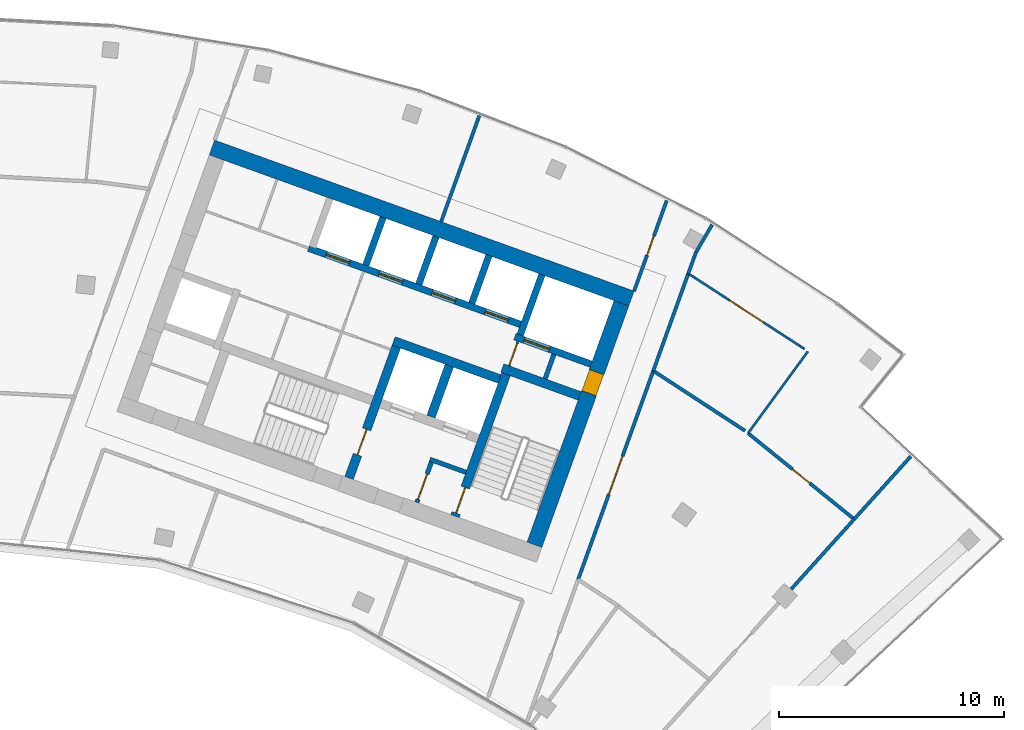
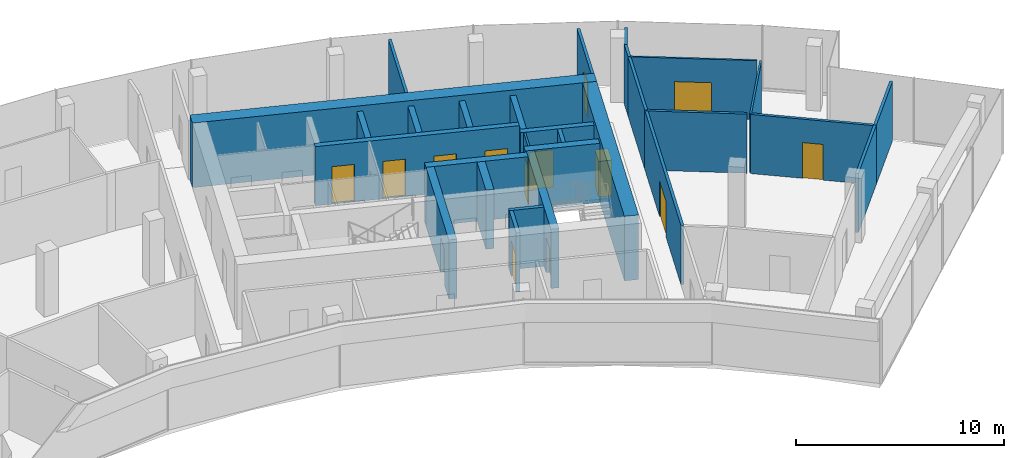
# One storey, part 16 of 18: 29 walls, 14 doors, 14 openings.
"""IFC4 building model written with IfcOpenShell, lengths in metres."""

from ifc_helpers import new_model, si_unit, direction, frame, frame_2d, origin, place, context, subcontext, project, spatial, rectangle, extrude, material, layer, layer_set, type_object, element, fill, save


model = new_model("IFC4")

# Units and contexts
model_context = context("Model", 3, precision=1e-05, world=origin(), true_north=direction((0.0, 1.0)))
body_context = subcontext(model_context, "Body", "Model", "MODEL_VIEW")
ifc_project = project(units=[si_unit("LENGTHUNIT", "METRE"), si_unit("AREAUNIT", "SQUARE_METRE"), si_unit("VOLUMEUNIT", "CUBIC_METRE"), si_unit("PLANEANGLEUNIT", "RADIAN"), si_unit("MASSUNIT", "GRAM", prefix="KILO")], contexts=[model_context])

# Site, building, storey
site_placement = place(None, origin())
site = spatial("IfcSite", under=ifc_project, at=site_placement, CompositionType="ELEMENT")
building_placement = place(site_placement, origin())
building = spatial("IfcBuilding", under=site, at=building_placement, Name="Stone Belt Terrace Tower", CompositionType="ELEMENT")
storey_placement = place(building_placement, frame((0.0, 0.0, 265.60009765625)))
storey = spatial("IfcBuildingStorey", under=building, at=storey_placement, Name="L64", CompositionType="ELEMENT", Elevation=265.60009765625)

# Wall, opening, door
ifc_material_1 = material(Name="Plasterboard partition")
ifc_layer_1 = layer(ifc_material_1, 0.10009765625)
ifc_layer_set_1 = layer_set([ifc_layer_1], Name="Core partition 100")
wall_type_1 = type_object("IfcWallType", Name="Core partition 100", PredefinedType="PARTITIONING", material=ifc_layer_set_1)
wall_1_placement = place(storey_placement, frame((24.555908203125, 51.10400390625, 0.0), z_axis=(0.0, 0.0, 1.0), x_axis=(0.338621735342, 0.94092258999, 0.0)))
wall_1 = element("IfcWall", 1, at=wall_1_placement, inside=storey, type_object=wall_type_1, Name="Core B wall", PredefinedType="PARTITIONING", context=body_context, shape_type="SweptSolid", body=[
    extrude(rectangle(XDim=1.14990234375, YDim=0.10009765625, at=frame_2d((0.574951171875, 0.0))), origin(), (0.0, 0.0, 1.0), 3.47998046875),
])
opening_1_placement = place(wall_1_placement, frame((0.050048828125, 0.0, 0.0)))
opening_1 = element("IfcOpeningElement", 2, at=opening_1_placement, cuts=wall_1, Name="Opening L64-C23", PredefinedType="OPENING", context=body_context, shape_type="SweptSolid", body=[
    extrude(rectangle(XDim=1.0, YDim=2.10009765625, at=frame_2d((0.5, 1.050048828125))), frame((0.0, 0.06005859375, 0.0), z_axis=(0.0, -1.0, 0.0), x_axis=(1.0, 0.0, 0.0)), (0.0, 0.0, 1.0), 0.1201171875),
])
ifc_material_2 = material(Name="Timber door leaf", Category="wood")
door_type_1 = type_object("IfcDoorType", Name="Core room door 1000", OperationType="SINGLE_SWING_LEFT", PredefinedType="DOOR", material=ifc_material_2)
door_1_placement = place(opening_1_placement, origin())
door_1 = element("IfcDoor", 3, at=door_1_placement, inside=storey, type_object=door_type_1, Name="Service lift lobby door core B", OperationType="SINGLE_SWING_RIGHT", OverallHeight=2.10009765625, OverallWidth=1.0, PredefinedType="DOOR", context=body_context, shape_type="SweptSolid", body=[
    extrude(rectangle(XDim=1.0, YDim=2.10009765625, at=frame_2d((0.5, 1.050048828125))), frame((0.0, 0.02490234375, 0.0), z_axis=(0.0, -1.0, 0.0), x_axis=(1.0, 0.0, 0.0)), (0.0, 0.0, 1.0), 0.050048828125),
])
fill(opening_1, door_1)

# Wall
ifc_material_3 = material(Name="Concrete B60", Category="concrete")
ifc_layer_2 = layer(ifc_material_3, 0.699951171875)
ifc_layer_set_2 = layer_set([ifc_layer_2], Name="Core wall 700 B60")
wall_type_2 = type_object("IfcWallType", Name="Core wall 700 B60", PredefinedType="SHEAR", material=ifc_layer_set_2)
wall_2_placement = place(storey_placement, frame((11.35791015625, 60.795654296875, 0.0), z_axis=(0.0, 0.0, 1.0), x_axis=(0.940919787944, -0.33862952124, 0.0)))
element("IfcWall", 4, at=wall_2_placement, inside=storey, type_object=wall_type_2, Name="Core B wall convex L64", PredefinedType="SHEAR", context=body_context, shape_type="SweptSolid", body=[
    extrude(rectangle(XDim=19.7998046875, YDim=0.699951171875, at=frame_2d((9.89990234375, 0.0))), origin(), (0.0, 0.0, 1.0), 3.7998046875),
])

# Wall, opening, door
wall_3_placement = place(storey_placement, frame((25.679931640625, 43.153564453125, 0.0), z_axis=(0.0, 0.0, 1.0), x_axis=(0.338625431531, 0.940921259788, 0.0)))
wall_3 = element("IfcWall", 5, at=wall_3_placement, inside=storey, type_object=wall_type_2, Name="Core B wall end_b L64", PredefinedType="SHEAR", context=body_context, shape_type="SweptSolid", body=[
    extrude(rectangle(XDim=11.400146484375, YDim=0.699951171875, at=frame_2d((5.7001953125, 0.0))), origin(), (0.0, 0.0, 1.0), 3.7998046875),
])
opening_2_placement = place(wall_3_placement, frame((7.14990234375, 0.0, 0.0)))
opening_2 = element("IfcOpeningElement", 6, at=opening_2_placement, cuts=wall_3, Name="Opening L64-C22", PredefinedType="OPENING", context=body_context, shape_type="SweptSolid", body=[
    extrude(rectangle(XDim=1.0, YDim=2.10009765625, at=frame_2d((0.5, 1.050048828125))), frame((0.0, 0.35986328125, 0.0), z_axis=(0.0, -1.0, 0.0), x_axis=(1.0, 0.0, 0.0)), (0.0, 0.0, 1.0), 0.719970703125),
])
door_2_placement = place(opening_2_placement, origin())
door_2 = element("IfcDoor", 7, at=door_2_placement, inside=storey, type_object=door_type_1, Name="Door to Telecommunications riser room core B", OperationType="SINGLE_SWING_LEFT", OverallHeight=2.10009765625, OverallWidth=1.0, PredefinedType="DOOR", context=body_context, shape_type="SweptSolid", body=[
    extrude(rectangle(XDim=1.0, YDim=2.10009765625, at=frame_2d((0.5, 1.050048828125))), frame((0.0, 0.330078125, 0.0), z_axis=(0.0, -1.0, 0.0), x_axis=(1.0, 0.0, 0.0)), (0.0, 0.0, 1.0), 0.659912109375),
])
fill(opening_2, door_2)

# Walls
ifc_material_4 = material(Name="Concrete B80", Category="concrete")
ifc_layer_3 = layer(ifc_material_4, 0.39990234375)
ifc_layer_set_3 = layer_set([ifc_layer_3], Name="Fire-fighting lift shaft wall 400")
wall_type_3 = type_object("IfcWallType", Name="Fire-fighting lift shaft wall 400", PredefinedType="SHEAR", material=ifc_layer_set_3)
wall_4_placement = place(storey_placement, frame((24.130615234375, 50.512939453125, 0.0), z_axis=(0.0, 0.0, 1.0), x_axis=(-0.94091168377, 0.338652038744, 0.0)))
element("IfcWall", 8, at=wall_4_placement, inside=storey, type_object=wall_type_3, Name="Core B wall", PredefinedType="SHEAR", context=body_context, shape_type="SweptSolid", body=[
    extrude(rectangle(XDim=5.000244140625, YDim=0.39990234375, at=frame_2d((2.5, 0.0))), origin(), (0.0, 0.0, 1.0), 3.47998046875),
])
wall_5_placement = place(storey_placement, frame((21.0859375, 48.845458984375, 0.0), z_axis=(0.0, 0.0, 1.0), x_axis=(0.338629416206, 0.940919825745, 0.0)))
element("IfcWall", 9, at=wall_5_placement, inside=storey, type_object=wall_type_3, Name="Core B wall", PredefinedType="SHEAR", context=body_context, shape_type="SweptSolid", body=[
    extrude(rectangle(XDim=2.400146484375, YDim=0.39990234375, at=frame_2d((1.2001953125, 0.0))), origin(), (0.0, 0.0, 1.0), 3.47998046875),
])

# Wall, opening, door
ifc_layer_4 = layer(ifc_material_4, 0.300048828125)
ifc_layer_set_4 = layer_set([ifc_layer_4], Name="Lift shaft wall 300")
wall_type_4 = type_object("IfcWallType", Name="Lift shaft wall 300", PredefinedType="SHEAR", material=ifc_layer_set_4)
wall_6_placement = place(storey_placement, frame((28.195068359375, 51.17578125, 0.0), z_axis=(0.0, 0.0, 1.0), x_axis=(-0.940901243567, 0.338681044427, 0.0)))
wall_6 = element("IfcWall", 10, at=wall_6_placement, inside=storey, type_object=wall_type_4, Name="Core B wall", PredefinedType="SHEAR", context=body_context, shape_type="SweptSolid", body=[
    extrude(rectangle(XDim=3.599853515625, YDim=0.300048828125, at=frame_2d((1.7998046875, 0.0))), origin(), (0.0, 0.0, 1.0), 3.47998046875),
])
opening_3_placement = place(wall_6_placement, frame((1.969970703125, 0.0, 0.0)))
opening_3 = element("IfcOpeningElement", 11, at=opening_3_placement, cuts=wall_6, Name="Opening L64-LD14", PredefinedType="OPENING", context=body_context, shape_type="SweptSolid", body=[
    extrude(rectangle(XDim=1.199951171875, YDim=2.199951171875, at=frame_2d((0.60009765625, 1.10009765625))), frame((0.0, 0.159912109375, 0.0), z_axis=(0.0, -1.0, 0.0), x_axis=(1.0, 0.0, 0.0)), (0.0, 0.0, 1.0), 0.320068359375),
])
ifc_material_5 = material(Name="Stainless steel door leaf", Category="steel")
door_type_2 = type_object("IfcDoorType", Name="Landing door 1200", OperationType="SLIDING_TO_LEFT", PredefinedType="DOOR", material=ifc_material_5)
door_3_placement = place(opening_3_placement, origin())
door_3 = element("IfcDoor", 12, at=door_3_placement, inside=storey, type_object=door_type_2, Name="Landing door SV1 core B", OperationType="SLIDING_TO_LEFT", OverallHeight=2.199951171875, OverallWidth=1.199951171875, PredefinedType="DOOR", context=body_context, shape_type="SweptSolid", body=[
    extrude(rectangle(XDim=1.199951171875, YDim=2.199951171875, at=frame_2d((0.60009765625, 1.10009765625))), frame((0.0, 0.02490234375, 0.0), z_axis=(0.0, -1.0, 0.0), x_axis=(1.0, 0.0, 0.0)), (0.0, 0.0, 1.0), 0.050048828125),
])
fill(opening_3, door_3)

# Wall
wall_7_placement = place(storey_placement, frame((25.046875, 52.46826171875, 0.0), z_axis=(0.0, 0.0, 1.0), x_axis=(0.338549588058, 0.940948551423, 0.0)))
element("IfcWall", 13, at=wall_7_placement, inside=storey, type_object=wall_type_4, Name="Core B wall", PredefinedType="SHEAR", context=body_context, shape_type="SweptSolid", body=[
    extrude(rectangle(XDim=2.849853515625, YDim=0.300048828125, at=frame_2d((1.4248046875, 0.0))), origin(), (0.0, 0.0, 1.0), 3.47998046875),
])

# Wall, openings, doors
wall_8_placement = place(storey_placement, frame((25.05810546875, 52.9423828125, 0.0), z_axis=(0.0, 0.0, 1.0), x_axis=(-0.940924441602, 0.338616590255, 0.0)))
wall_8 = element("IfcWall", 14, at=wall_8_placement, inside=storey, type_object=wall_type_4, Name="Core B wall", PredefinedType="SHEAR", context=body_context, shape_type="SweptSolid", body=[
    extrude(rectangle(XDim=10.000244140625, YDim=0.300048828125, at=frame_2d((5.0, 0.0))), origin(), (0.0, 0.0, 1.0), 3.47998046875),
])
opening_4_placement = place(wall_8_placement, frame((0.570068359375, 0.0, 0.0)))
opening_4 = element("IfcOpeningElement", 15, at=opening_4_placement, cuts=wall_8, Name="Opening L64-LD08", PredefinedType="OPENING", context=body_context, shape_type="SweptSolid", body=[
    extrude(rectangle(XDim=1.10009765625, YDim=2.199951171875, at=frame_2d((0.550048828125, 1.10009765625))), frame((0.0, 0.159912109375, 0.0), z_axis=(0.0, -1.0, 0.0), x_axis=(1.0, 0.0, 0.0)), (0.0, 0.0, 1.0), 0.320068359375),
])
opening_5_placement = place(wall_8_placement, frame((3.070068359375, 0.0, 0.0)))
opening_5 = element("IfcOpeningElement", 16, at=opening_5_placement, cuts=wall_8, Name="Opening L64-LD09", PredefinedType="OPENING", context=body_context, shape_type="SweptSolid", body=[
    extrude(rectangle(XDim=1.10009765625, YDim=2.199951171875, at=frame_2d((0.550048828125, 1.10009765625))), frame((0.0, 0.159912109375, 0.0), z_axis=(0.0, -1.0, 0.0), x_axis=(1.0, 0.0, 0.0)), (0.0, 0.0, 1.0), 0.320068359375),
])
opening_6_placement = place(wall_8_placement, frame((5.570068359375, 0.0, 0.0)))
opening_6 = element("IfcOpeningElement", 17, at=opening_6_placement, cuts=wall_8, Name="Opening L64-LD10", PredefinedType="OPENING", context=body_context, shape_type="SweptSolid", body=[
    extrude(rectangle(XDim=1.10009765625, YDim=2.199951171875, at=frame_2d((0.550048828125, 1.10009765625))), frame((0.0, 0.159912109375, 0.0), z_axis=(0.0, -1.0, 0.0), x_axis=(1.0, 0.0, 0.0)), (0.0, 0.0, 1.0), 0.320068359375),
])
opening_7_placement = place(wall_8_placement, frame((8.070068359375, 0.0, 0.0)))
opening_7 = element("IfcOpeningElement", 18, at=opening_7_placement, cuts=wall_8, Name="Opening L64-LD11", PredefinedType="OPENING", context=body_context, shape_type="SweptSolid", body=[
    extrude(rectangle(XDim=1.10009765625, YDim=2.199951171875, at=frame_2d((0.550048828125, 1.10009765625))), frame((0.0, 0.159912109375, 0.0), z_axis=(0.0, -1.0, 0.0), x_axis=(1.0, 0.0, 0.0)), (0.0, 0.0, 1.0), 0.320068359375),
])
door_type_3 = type_object("IfcDoorType", Name="Landing door 1100", OperationType="SLIDING_TO_LEFT", PredefinedType="DOOR", material=ifc_material_5)
door_4_placement = place(opening_4_placement, origin())
door_4 = element("IfcDoor", 19, at=door_4_placement, inside=storey, type_object=door_type_3, Name="Landing door HR1 core B", OperationType="SLIDING_TO_LEFT", OverallHeight=2.199951171875, OverallWidth=1.10009765625, PredefinedType="DOOR", context=body_context, shape_type="SweptSolid", body=[
    extrude(rectangle(XDim=1.10009765625, YDim=2.199951171875, at=frame_2d((0.550048828125, 1.10009765625))), frame((0.0, 0.02490234375, 0.0), z_axis=(0.0, -1.0, 0.0), x_axis=(1.0, 0.0, 0.0)), (0.0, 0.0, 1.0), 0.050048828125),
])
fill(opening_4, door_4)
door_5_placement = place(opening_5_placement, origin())
door_5 = element("IfcDoor", 20, at=door_5_placement, inside=storey, type_object=door_type_3, Name="Landing door HR2 core B", OperationType="SLIDING_TO_LEFT", OverallHeight=2.199951171875, OverallWidth=1.10009765625, PredefinedType="DOOR", context=body_context, shape_type="SweptSolid", body=[
    extrude(rectangle(XDim=1.10009765625, YDim=2.199951171875, at=frame_2d((0.550048828125, 1.10009765625))), frame((0.0, 0.02490234375, 0.0), z_axis=(0.0, -1.0, 0.0), x_axis=(1.0, 0.0, 0.0)), (0.0, 0.0, 1.0), 0.050048828125),
])
fill(opening_5, door_5)
door_6_placement = place(opening_6_placement, origin())
door_6 = element("IfcDoor", 21, at=door_6_placement, inside=storey, type_object=door_type_3, Name="Landing door HR3 core B", OperationType="SLIDING_TO_LEFT", OverallHeight=2.199951171875, OverallWidth=1.10009765625, PredefinedType="DOOR", context=body_context, shape_type="SweptSolid", body=[
    extrude(rectangle(XDim=1.10009765625, YDim=2.199951171875, at=frame_2d((0.550048828125, 1.10009765625))), frame((0.0, 0.02490234375, 0.0), z_axis=(0.0, -1.0, 0.0), x_axis=(1.0, 0.0, 0.0)), (0.0, 0.0, 1.0), 0.050048828125),
])
fill(opening_6, door_6)
door_7_placement = place(opening_7_placement, origin())
door_7 = element("IfcDoor", 22, at=door_7_placement, inside=storey, type_object=door_type_3, Name="Landing door HR4 core B", OperationType="SLIDING_TO_LEFT", OverallHeight=2.199951171875, OverallWidth=1.10009765625, PredefinedType="DOOR", context=body_context, shape_type="SweptSolid", body=[
    extrude(rectangle(XDim=1.10009765625, YDim=2.199951171875, at=frame_2d((0.550048828125, 1.10009765625))), frame((0.0, 0.02490234375, 0.0), z_axis=(0.0, -1.0, 0.0), x_axis=(1.0, 0.0, 0.0)), (0.0, 0.0, 1.0), 0.050048828125),
])
fill(opening_7, door_7)

# Walls
wall_9_placement = place(storey_placement, frame((22.897705078125, 53.87939453125, 0.0), z_axis=(0.0, 0.0, 1.0), x_axis=(0.338535034312, 0.940953787677, 0.0)))
element("IfcWall", 23, at=wall_9_placement, inside=storey, type_object=wall_type_4, Name="Core B wall", PredefinedType="SHEAR", context=body_context, shape_type="SweptSolid", body=[
    extrude(rectangle(XDim=2.25, YDim=0.300048828125, at=frame_2d((1.125, 0.0))), origin(), (0.0, 0.0, 1.0), 3.47998046875),
])
wall_10_placement = place(storey_placement, frame((20.54541015625, 54.72607421875, 0.0), z_axis=(0.0, 0.0, 1.0), x_axis=(0.338569601369, 0.940941350472, 0.0)))
element("IfcWall", 24, at=wall_10_placement, inside=storey, type_object=wall_type_4, Name="Core B wall", PredefinedType="SHEAR", context=body_context, shape_type="SweptSolid", body=[
    extrude(rectangle(XDim=2.249755859375, YDim=0.300048828125, at=frame_2d((1.125, 0.0))), origin(), (0.0, 0.0, 1.0), 3.47998046875),
])
wall_11_placement = place(storey_placement, frame((18.193115234375, 55.572509765625, 0.0), z_axis=(0.0, 0.0, 1.0), x_axis=(0.338535034312, 0.940953787677, 0.0)))
element("IfcWall", 25, at=wall_11_placement, inside=storey, type_object=wall_type_4, Name="Core B wall", PredefinedType="SHEAR", context=body_context, shape_type="SweptSolid", body=[
    extrude(rectangle(XDim=2.25, YDim=0.300048828125, at=frame_2d((1.125, 0.0))), origin(), (0.0, 0.0, 1.0), 3.47998046875),
])
ifc_material_6 = material(Name="Gypsum board partition")
ifc_layer_5 = layer(ifc_material_6, 0.10009765625)
ifc_layer_set_5 = layer_set([ifc_layer_5], Name="PARTITION 100")
wall_type_5 = type_object("IfcWallType", Name="PARTITION 100", PredefinedType="PARTITIONING", material=ifc_layer_set_5)
wall_12_placement = place(storey_placement, frame((35.1669921875, 48.10791015625, 0.0), z_axis=(0.0, 0.0, 1.0), x_axis=(0.590276391842, 0.807201202448, 0.0)))
element("IfcWall", 26, at=wall_12_placement, inside=storey, type_object=wall_type_5, Name="L64/wall/i071", PredefinedType="PARTITIONING", context=body_context, shape_type="SweptSolid", body=[
    extrude(rectangle(XDim=4.49951171875, YDim=0.10009765625, at=frame_2d((2.249755859375, 0.0))), origin(), (0.0, 0.0, 1.0), 3.47998046875),
])

# Wall, opening, door
wall_13_placement = place(storey_placement, frame((37.672119140625, 51.85107421875, 0.0), z_axis=(0.0, 0.0, 1.0), x_axis=(-0.838784432024, 0.544463659572, 0.0)))
wall_13 = element("IfcWall", 27, at=wall_13_placement, inside=storey, type_object=wall_type_5, Name="L64/wall/i072", PredefinedType="PARTITIONING", context=body_context, shape_type="SweptSolid", body=[
    extrude(rectangle(XDim=6.15087890625, YDim=0.10009765625, at=frame_2d((3.075439453125, 0.0))), origin(), (0.0, 0.0, 1.0), 3.47998046875),
])
opening_8_placement = place(wall_13_placement, frame((2.17529296875, 0.0, 0.0)))
opening_8 = element("IfcOpeningElement", 28, at=opening_8_placement, cuts=wall_13, Name="Opening D-E1-23", PredefinedType="OPENING", context=body_context, shape_type="SweptSolid", body=[
    extrude(rectangle(XDim=1.800048828125, YDim=2.10009765625, at=frame_2d((0.89990234375, 1.050048828125))), frame((0.0, 0.06005859375, 0.0), z_axis=(0.0, -1.0, 0.0), x_axis=(1.0, 0.0, 0.0)), (0.0, 0.0, 1.0), 0.1201171875),
])
door_type_4 = type_object("IfcDoorType", Name="DOUBLE DOOR 1800 X 2100", OperationType="DOUBLE_DOOR_SINGLE_SWING", PredefinedType="DOOR", material=ifc_material_2)
door_8_placement = place(opening_8_placement, origin())
door_8 = element("IfcDoor", 29, at=door_8_placement, inside=storey, type_object=door_type_4, Name="L64/door/i23", OperationType="DOUBLE_DOOR_SINGLE_SWING", OverallHeight=2.10009765625, OverallWidth=1.800048828125, PredefinedType="DOOR", context=body_context, shape_type="SweptSolid", body=[
    extrude(rectangle(XDim=1.800048828125, YDim=2.10009765625, at=frame_2d((0.89990234375, 1.050048828125))), frame((0.0, 0.02490234375, 0.0), z_axis=(0.0, -1.0, 0.0), x_axis=(1.0, 0.0, 0.0)), (0.0, 0.0, 1.0), 0.050048828125),
])
fill(opening_8, door_8)

ifc_layer_6 = layer(ifc_material_6, 0.14990234375)
ifc_layer_set_6 = layer_set([ifc_layer_6], Name="PARTITION 150 EI 60")
wall_type_6 = type_object("IfcWallType", Name="PARTITION 150 EI 60", PredefinedType="PARTITIONING", material=ifc_layer_set_6)
wall_14_placement = place(storey_placement, frame((30.10595703125, 54.4208984375, 0.0), z_axis=(0.0, 0.0, 1.0), x_axis=(0.338725523051, 0.940885232127, 0.0)))
wall_14 = element("IfcWall", 30, at=wall_14_placement, inside=storey, type_object=wall_type_6, Name="L64/wall/i029", PredefinedType="PARTITIONING", context=body_context, shape_type="SweptSolid", body=[
    extrude(rectangle(XDim=4.283447265625, YDim=0.14990234375, at=frame_2d((2.1416015625, 0.0))), origin(), (0.0, 0.0, 1.0), 3.47998046875),
])
opening_9_placement = place(wall_14_placement, frame((1.691650390625, 0.0, 0.0)))
opening_9 = element("IfcOpeningElement", 31, at=opening_9_placement, cuts=wall_14, Name="Opening D-E1-10", PredefinedType="OPENING", context=body_context, shape_type="SweptSolid", body=[
    extrude(rectangle(XDim=0.89990234375, YDim=2.10009765625, at=frame_2d((0.449951171875, 1.050048828125))), frame((0.0, 0.0849609375, 0.0), z_axis=(0.0, -1.0, 0.0), x_axis=(1.0, 0.0, 0.0)), (0.0, 0.0, 1.0), 0.169921875),
])
door_type_5 = type_object("IfcDoorType", Name="OFFICE DOOR 900 X 2100", OperationType="NOTDEFINED", PredefinedType="DOOR", material=ifc_material_2)
door_9_placement = place(opening_9_placement, origin())
door_9 = element("IfcDoor", 32, at=door_9_placement, inside=storey, type_object=door_type_5, Name="L64/door/i10", OperationType="SINGLE_SWING_RIGHT", OverallHeight=2.10009765625, OverallWidth=0.89990234375, PredefinedType="DOOR", context=body_context, shape_type="SweptSolid", body=[
    extrude(rectangle(XDim=0.89990234375, YDim=2.10009765625, at=frame_2d((0.449951171875, 1.050048828125))), frame((0.0, 0.02490234375, 0.0), z_axis=(0.0, -1.0, 0.0), x_axis=(1.0, 0.0, 0.0)), (0.0, 0.0, 1.0), 0.050048828125),
])
fill(opening_9, door_9)

# Walls
wall_15_placement = place(storey_placement, frame((33.576416015625, 57.37841796875, 0.0), z_axis=(0.0, 0.0, 1.0), x_axis=(-0.505064935992, -0.863081346358, 0.0)))
element("IfcWall", 33, at=wall_15_placement, inside=storey, type_object=wall_type_6, Name="L64/wall/i032", PredefinedType="PARTITIONING", context=body_context, shape_type="SweptSolid", body=[
    extrude(rectangle(XDim=1.43603515625, YDim=0.14990234375, at=frame_2d((0.718017578125, 0.0))), origin(), (0.0, 0.0, 1.0), 3.47998046875),
])
wall_16_placement = place(storey_placement, frame((32.85107421875, 56.138916015625, 0.0), z_axis=(0.0, 0.0, 1.0), x_axis=(-0.338676421288, -0.940902907671, 0.0)))
element("IfcWall", 34, at=wall_16_placement, inside=storey, type_object=wall_type_6, Name="L64/wall/i033", PredefinedType="PARTITIONING", context=body_context, shape_type="SweptSolid", body=[
    extrude(rectangle(XDim=1.004150390625, YDim=0.14990234375, at=frame_2d((0.501953125, 0.0))), origin(), (0.0, 0.0, 1.0), 3.47998046875),
])
wall_17_placement = place(storey_placement, frame((32.514892578125, 55.2060546875, 0.0), z_axis=(0.0, 0.0, 1.0), x_axis=(-0.338586142837, -0.940935398356, 0.0)))
element("IfcWall", 35, at=wall_17_placement, inside=storey, type_object=wall_type_6, Name="L64/wall/i034", PredefinedType="PARTITIONING", context=body_context, shape_type="SweptSolid", body=[
    extrude(rectangle(XDim=4.60400390625, YDim=0.14990234375, at=frame_2d((2.302001953125, 0.0))), origin(), (0.0, 0.0, 1.0), 3.47998046875),
])

# Wall, opening, door
wall_18_placement = place(storey_placement, frame((30.9599609375, 50.885986328125, 0.0), z_axis=(0.0, 0.0, 1.0), x_axis=(-0.338672159599, -0.940904441648, 0.0)))
wall_18 = element("IfcWall", 36, at=wall_18_placement, inside=storey, type_object=wall_type_6, Name="L64/wall/i035", PredefinedType="PARTITIONING", context=body_context, shape_type="SweptSolid", body=[
    extrude(rectangle(XDim=9.8681640625, YDim=0.14990234375, at=frame_2d((4.93408203125, 0.0))), origin(), (0.0, 0.0, 1.0), 3.47998046875),
])
opening_10_placement = place(wall_18_placement, frame((4.0341796875, 0.0, 0.0)))
opening_10 = element("IfcOpeningElement", 37, at=opening_10_placement, cuts=wall_18, Name="Opening D-E1-24", PredefinedType="OPENING", context=body_context, shape_type="SweptSolid", body=[
    extrude(rectangle(XDim=1.800048828125, YDim=2.10009765625, at=frame_2d((0.89990234375, 1.050048828125))), frame((0.0, 0.0849609375, 0.0), z_axis=(0.0, -1.0, 0.0), x_axis=(1.0, 0.0, 0.0)), (0.0, 0.0, 1.0), 0.169921875),
])
door_10_placement = place(opening_10_placement, origin())
door_10 = element("IfcDoor", 38, at=door_10_placement, inside=storey, type_object=door_type_4, Name="L64/door/i24", OperationType="DOUBLE_DOOR_SINGLE_SWING", OverallHeight=2.10009765625, OverallWidth=1.800048828125, PredefinedType="DOOR", context=body_context, shape_type="SweptSolid", body=[
    extrude(rectangle(XDim=1.800048828125, YDim=2.10009765625, at=frame_2d((0.89990234375, 1.050048828125))), frame((0.0, 0.02490234375, 0.0), z_axis=(0.0, -1.0, 0.0), x_axis=(1.0, 0.0, 0.0)), (0.0, 0.0, 1.0), 0.050048828125),
])
fill(opening_10, door_10)

# Walls
wall_19_placement = place(storey_placement, frame((23.23291015625, 62.215087890625, 0.0), z_axis=(0.0, 0.0, 1.0), x_axis=(-0.338679756351, -0.940901707214, 0.0)))
element("IfcWall", 39, at=wall_19_placement, inside=storey, type_object=wall_type_6, Name="L64/wall/i041", PredefinedType="PARTITIONING", context=body_context, shape_type="SweptSolid", body=[
    extrude(rectangle(XDim=5.007080078125, YDim=0.14990234375, at=frame_2d((2.50341796875, 0.0))), origin(), (0.0, 0.0, 1.0), 3.47998046875),
])
wall_20_placement = place(storey_placement, frame((39.8759765625, 44.285888671875, 0.0), z_axis=(0.0, 0.0, 1.0), x_axis=(0.669068459203, 0.743200778323, 0.0)))
element("IfcWall", 40, at=wall_20_placement, inside=storey, type_object=wall_type_6, Name="L64/wall/i064", PredefinedType="PARTITIONING", context=body_context, shape_type="SweptSolid", body=[
    extrude(rectangle(XDim=3.770751953125, YDim=0.14990234375, at=frame_2d((1.88525390625, 0.0))), origin(), (0.0, 0.0, 1.0), 3.47998046875),
])
wall_21_placement = place(storey_placement, frame((37.09033203125, 41.192138671875, 0.0), z_axis=(0.0, 0.0, 1.0), x_axis=(0.669123017422, 0.743151658517, 0.0)))
element("IfcWall", 41, at=wall_21_placement, inside=storey, type_object=wall_type_6, Name="L64/wall/i066", PredefinedType="PARTITIONING", context=body_context, shape_type="SweptSolid", body=[
    extrude(rectangle(XDim=4.175048828125, YDim=0.14990234375, at=frame_2d((2.08740234375, 0.0))), origin(), (0.0, 0.0, 1.0), 3.47998046875),
])

# Wall, opening, door
wall_22_placement = place(storey_placement, frame((35.1669921875, 48.10791015625, 0.0), z_axis=(0.0, 0.0, 1.0), x_axis=(0.777107980833, -0.62936729032, 0.0)))
wall_22 = element("IfcWall", 42, at=wall_22_placement, inside=storey, type_object=wall_type_6, Name="L64/wall/i073", PredefinedType="PARTITIONING", context=body_context, shape_type="SweptSolid", body=[
    extrude(rectangle(XDim=6.064697265625, YDim=0.14990234375, at=frame_2d((3.0322265625, 0.0))), origin(), (0.0, 0.0, 1.0), 3.47998046875),
])
opening_11_placement = place(wall_22_placement, frame((2.532470703125, 0.0, 0.0)))
opening_11 = element("IfcOpeningElement", 43, at=opening_11_placement, cuts=wall_22, Name="Opening D-E1-22", PredefinedType="OPENING", context=body_context, shape_type="SweptSolid", body=[
    extrude(rectangle(XDim=1.0, YDim=2.10009765625, at=frame_2d((0.5, 1.050048828125))), frame((0.0, 0.0849609375, 0.0), z_axis=(0.0, -1.0, 0.0), x_axis=(1.0, 0.0, 0.0)), (0.0, 0.0, 1.0), 0.169921875),
])
ifc_material_7 = material(Name="Timber fire door leaf", Category="wood")
door_type_6 = type_object("IfcDoorType", Name="TENANCY ENTRANCE DOOR 1000 X 2100", OperationType="NOTDEFINED", PredefinedType="DOOR", material=ifc_material_7)
door_11_placement = place(opening_11_placement, origin())
door_11 = element("IfcDoor", 44, at=door_11_placement, inside=storey, type_object=door_type_6, Name="L64/door/i22", OperationType="SINGLE_SWING_RIGHT", OverallHeight=2.10009765625, OverallWidth=1.0, PredefinedType="DOOR", context=body_context, shape_type="SweptSolid", body=[
    extrude(rectangle(XDim=1.0, YDim=2.10009765625, at=frame_2d((0.5, 1.050048828125))), frame((0.0, 0.02490234375, 0.0), z_axis=(0.0, -1.0, 0.0), x_axis=(1.0, 0.0, 0.0)), (0.0, 0.0, 1.0), 0.050048828125),
])
fill(opening_11, door_11)

# Walls
wall_23_placement = place(storey_placement, frame((35.031982421875, 48.217041015625, 0.0), z_axis=(0.0, 0.0, 1.0), x_axis=(-0.837055321155, 0.547118258995, 0.0)))
element("IfcWall", 45, at=wall_23_placement, inside=storey, type_object=wall_type_6, Name="L64/wall/i074", PredefinedType="PARTITIONING", context=body_context, shape_type="SweptSolid", body=[
    extrude(rectangle(XDim=4.866943359375, YDim=0.14990234375, at=frame_2d((2.43359375, 0.0))), origin(), (0.0, 0.0, 1.0), 3.47998046875),
])
ifc_material_8 = material(Name="Concrete masonry block", Category="masonry")
ifc_layer_7 = layer(ifc_material_8, 0.199951171875)
ifc_layer_set_7 = layer_set([ifc_layer_7], Name="Rated lobby wall 200")
wall_type_7 = type_object("IfcWallType", Name="Rated lobby wall 200", PredefinedType="PARTITIONING", material=ifc_layer_set_7)
wall_24_placement = place(storey_placement, frame((26.1552734375, 50.5283203125, 0.0), z_axis=(0.0, 0.0, 1.0), x_axis=(0.338621735342, 0.94092258999, 0.0)))
element("IfcWall", 46, at=wall_24_placement, inside=storey, type_object=wall_type_7, Name="Core B wall", PredefinedType="PARTITIONING", context=body_context, shape_type="SweptSolid", body=[
    extrude(rectangle(XDim=1.14990234375, YDim=0.199951171875, at=frame_2d((0.574951171875, 0.0))), origin(), (0.0, 0.0, 1.0), 3.47998046875),
])
wall_25_placement = place(storey_placement, frame((22.640625, 46.373046875, 0.0), z_axis=(0.0, 0.0, 1.0), x_axis=(-0.940966110313, 0.338500781747, 0.0)))
element("IfcWall", 47, at=wall_25_placement, inside=storey, type_object=wall_type_7, Name="Core B wall", PredefinedType="PARTITIONING", context=body_context, shape_type="SweptSolid", body=[
    extrude(rectangle(XDim=1.699951171875, YDim=0.199951171875, at=frame_2d((0.85009765625, 0.0))), origin(), (0.0, 0.0, 1.0), 3.47998046875),
])

# Wall, opening, door
wall_26_placement = place(storey_placement, frame((20.4580078125, 45.032958984375, 0.0), z_axis=(0.0, 0.0, 1.0), x_axis=(0.338573865316, 0.940939816208, 0.0)))
wall_26 = element("IfcWall", 48, at=wall_26_placement, inside=storey, type_object=wall_type_7, Name="Core B wall", PredefinedType="PARTITIONING", context=body_context, shape_type="SweptSolid", body=[
    extrude(rectangle(XDim=1.900146484375, YDim=0.199951171875, at=frame_2d((0.9501953125, 0.0))), origin(), (0.0, 0.0, 1.0), 3.47998046875),
])
opening_12_placement = place(wall_26_placement, frame((0.14990234375, 0.0, 0.0)))
opening_12 = element("IfcOpeningElement", 49, at=opening_12_placement, cuts=wall_26, Name="Opening L64-C27", PredefinedType="OPENING", context=body_context, shape_type="SweptSolid", body=[
    extrude(rectangle(XDim=1.199951171875, YDim=2.10009765625, at=frame_2d((0.60009765625, 1.050048828125))), frame((0.0, 0.10986328125, 0.0), z_axis=(0.0, -1.0, 0.0), x_axis=(1.0, 0.0, 0.0)), (0.0, 0.0, 1.0), 0.219970703125),
])
ifc_material_9 = material(Name="Steel door leaf", Category="steel")
door_type_7 = type_object("IfcDoorType", Name="Stair door 1200", OperationType="SINGLE_SWING_LEFT", PredefinedType="DOOR", material=ifc_material_9)
door_12_placement = place(opening_12_placement, origin())
door_12 = element("IfcDoor", 50, at=door_12_placement, inside=storey, type_object=door_type_7, Name="Stair airlock door core B", OperationType="SINGLE_SWING_RIGHT", OverallHeight=2.10009765625, OverallWidth=1.199951171875, PredefinedType="DOOR", context=body_context, shape_type="SweptSolid", body=[
    extrude(rectangle(XDim=1.199951171875, YDim=2.10009765625, at=frame_2d((0.60009765625, 1.050048828125))), frame((0.0, 0.02490234375, 0.0), z_axis=(0.0, -1.0, 0.0), x_axis=(1.0, 0.0, 0.0)), (0.0, 0.0, 1.0), 0.050048828125),
])
fill(opening_12, door_12)

# Wall
ifc_layer_8 = layer(ifc_material_4, 0.39990234375)
ifc_layer_set_8 = layer_set([ifc_layer_8], Name="Stair enclosure wall 400")
wall_type_8 = type_object("IfcWallType", Name="Stair enclosure wall 400", PredefinedType="SHEAR", material=ifc_layer_set_8)
wall_27_placement = place(storey_placement, frame((27.687255859375, 49.764404296875, 0.0), z_axis=(0.0, 0.0, 1.0), x_axis=(-0.940918954884, 0.338631835981, 0.0)))
element("IfcWall", 51, at=wall_27_placement, inside=storey, type_object=wall_type_8, Name="Core B wall", PredefinedType="SHEAR", context=body_context, shape_type="SweptSolid", body=[
    extrude(rectangle(XDim=3.650146484375, YDim=0.39990234375, at=frame_2d((1.8251953125, 0.0))), origin(), (0.0, 0.0, 1.0), 3.47998046875),
])

# Wall, opening, door
wall_28_placement = place(storey_placement, frame((22.151611328125, 44.42333984375, 0.0), z_axis=(0.0, 0.0, 1.0), x_axis=(0.338625272931, 0.940921316866, 0.0)))
wall_28 = element("IfcWall", 52, at=wall_28_placement, inside=storey, type_object=wall_type_8, Name="Core B wall", PredefinedType="SHEAR", context=body_context, shape_type="SweptSolid", body=[
    extrude(rectangle(XDim=6.699951171875, YDim=0.39990234375, at=frame_2d((3.35009765625, 0.0))), origin(), (0.0, 0.0, 1.0), 3.47998046875),
])
opening_13_placement = place(wall_28_placement, frame((0.14990234375, 0.0, 0.0)))
opening_13 = element("IfcOpeningElement", 53, at=opening_13_placement, cuts=wall_28, Name="Opening L64-C26", PredefinedType="OPENING", context=body_context, shape_type="SweptSolid", body=[
    extrude(rectangle(XDim=1.199951171875, YDim=2.10009765625, at=frame_2d((0.60009765625, 1.050048828125))), frame((0.0, 0.2099609375, 0.0), z_axis=(0.0, -1.0, 0.0), x_axis=(1.0, 0.0, 0.0)), (0.0, 0.0, 1.0), 0.419921875),
])
door_13_placement = place(opening_13_placement, origin())
door_13 = element("IfcDoor", 54, at=door_13_placement, inside=storey, type_object=door_type_7, Name="Stair 1 door core B", OperationType="SINGLE_SWING_RIGHT", OverallHeight=2.10009765625, OverallWidth=1.199951171875, PredefinedType="DOOR", context=body_context, shape_type="SweptSolid", body=[
    extrude(rectangle(XDim=1.199951171875, YDim=2.10009765625, at=frame_2d((0.60009765625, 1.050048828125))), frame((0.0, 0.02490234375, 0.0), z_axis=(0.0, -1.0, 0.0), x_axis=(1.0, 0.0, 0.0)), (0.0, 0.0, 1.0), 0.050048828125),
])
fill(opening_13, door_13)

wall_29_placement = place(storey_placement, frame((17.447021484375, 46.116455078125, 0.0), z_axis=(0.0, 0.0, 1.0), x_axis=(0.33860791464, 0.940927563707, 0.0)))
wall_29 = element("IfcWall", 55, at=wall_29_placement, inside=storey, type_object=wall_type_8, Name="Core B wall", PredefinedType="SHEAR", context=body_context, shape_type="SweptSolid", body=[
    extrude(rectangle(XDim=6.199951171875, YDim=0.39990234375, at=frame_2d((3.10009765625, 0.0))), origin(), (0.0, 0.0, 1.0), 3.47998046875),
])
opening_14_placement = place(wall_29_placement, frame((1.10009765625, 0.0, 0.0)))
opening_14 = element("IfcOpeningElement", 56, at=opening_14_placement, cuts=wall_29, Name="Opening L64-C29", PredefinedType="OPENING", context=body_context, shape_type="SweptSolid", body=[
    extrude(rectangle(XDim=1.199951171875, YDim=2.10009765625, at=frame_2d((0.60009765625, 1.050048828125))), frame((0.0, 0.2099609375, 0.0), z_axis=(0.0, -1.0, 0.0), x_axis=(1.0, 0.0, 0.0)), (0.0, 0.0, 1.0), 0.419921875),
])
door_14_placement = place(opening_14_placement, origin())
door_14 = element("IfcDoor", 57, at=door_14_placement, inside=storey, type_object=door_type_7, Name="Stair 2 door core B", OperationType="SINGLE_SWING_RIGHT", OverallHeight=2.10009765625, OverallWidth=1.199951171875, PredefinedType="DOOR", context=body_context, shape_type="SweptSolid", body=[
    extrude(rectangle(XDim=1.199951171875, YDim=2.10009765625, at=frame_2d((0.60009765625, 1.050048828125))), frame((0.0, 0.02490234375, 0.0), z_axis=(0.0, -1.0, 0.0), x_axis=(1.0, 0.0, 0.0)), (0.0, 0.0, 1.0), 0.050048828125),
])
fill(opening_14, door_14)

save(model, "model.ifc")
